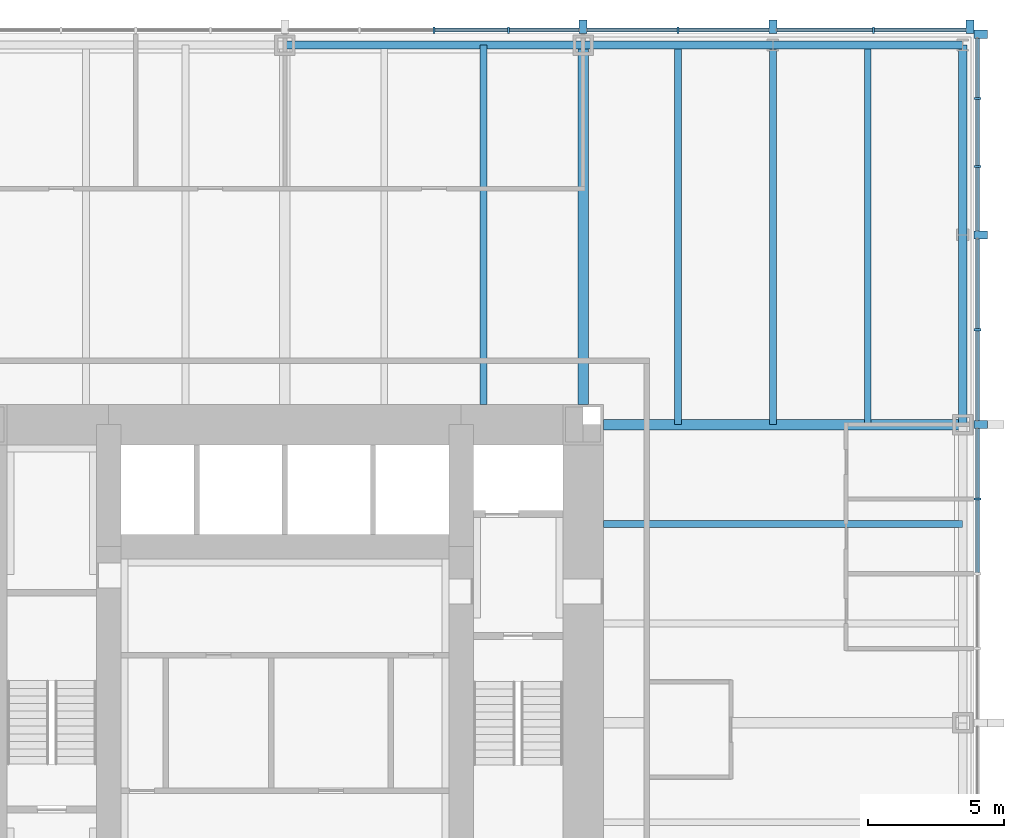
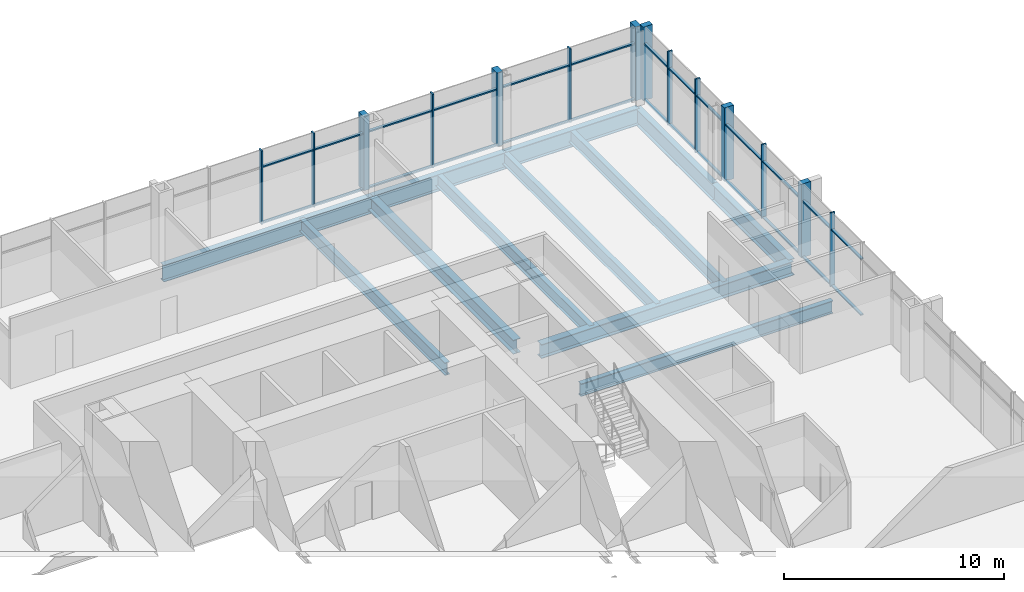
# One storey, part 6 of 12: 40 members, 12 beams, 2 elements without a shape of their own.
"""IFC4 building model written with IfcOpenShell, lengths in metres."""

from ifc_helpers import new_model, si_unit, direction, frame, origin, origin_2d, place, context, subcontext, project, spatial, rectangle, i_section, extrude, material, material_profile, profile_set, type_object, element, aggregate, save


model = new_model("IFC4")

# Units and contexts
model_context = context("Model", 3, precision=1e-05, world=origin(), true_north=direction((0.0, 1.0)))
body_context = subcontext(model_context, "Body", "Model", "MODEL_VIEW")
ifc_project = project(units=[si_unit("LENGTHUNIT", "METRE"), si_unit("AREAUNIT", "SQUARE_METRE"), si_unit("VOLUMEUNIT", "CUBIC_METRE"), si_unit("PLANEANGLEUNIT", "RADIAN"), si_unit("MASSUNIT", "GRAM", prefix="KILO")], contexts=[model_context])

# Site, building, storey
site_placement = place(None, origin())
site = spatial("IfcSite", under=ifc_project, at=site_placement, CompositionType="ELEMENT")
building_placement = place(site_placement, origin())
building = spatial("IfcBuilding", under=site, at=building_placement, Name="Trevanion Tower", CompositionType="ELEMENT")
storey_placement = place(building_placement, frame((0.0, 0.0, 61.10009765625)))
storey = spatial("IfcBuildingStorey", under=building, at=storey_placement, Name="L14", CompositionType="ELEMENT", Elevation=61.10009765625)

# Beams
ifc_material_1 = material(Name="Steel ASTM A992 Grade 50", Category="steel")
ifc_material_profile_1 = material_profile(ifc_material_1, i_section(OverallWidth=0.25390625, OverallDepth=0.700927734375, WebThickness=0.015380859375, FlangeThickness=0.02783203125, at=origin_2d()), Name="W27X129")
ifc_profile_set_1 = profile_set([ifc_material_profile_1], Name="Steel ASTM A992 Grade 50")
beam_type_1 = type_object("IfcBeamType", Name="B3 W27X129", PredefinedType="BEAM", material=ifc_profile_set_1)
for number, where, z_axis, x_axis, name in (
    (1, (11.75, 7.333251953125, -0.54052734375), (1.0, 0.0, 0.0), (0.0, 1.0, 0.0), "B3 L14"),
    (2, (7.333251953125, 11.75, -0.54052734375), (0.0, 1.0, 0.0), (-1.0, 0.0, 0.0), "B3 L14"),
):
    element("IfcBeam", number, at=place(storey_placement, frame(where, z_axis=z_axis, x_axis=x_axis)), inside=storey, type_object=beam_type_1, Name=name, PredefinedType="BEAM", context=body_context, shape_type="SweptSolid", body=[
        extrude(i_section(OverallWidth=0.25390625, OverallDepth=0.700927734375, WebThickness=0.015380859375, FlangeThickness=0.02783203125, at=origin_2d()), origin(), (0.0, 0.0, 1.0), 13.25),
    ])
ifc_material_2 = material(Name="Steel ASTM A992 Grade 50", Category="steel")
ifc_material_profile_2 = material_profile(ifc_material_2, i_section(OverallWidth=0.256591796875, OverallDepth=0.693359375, WebThickness=0.014404296875, FlangeThickness=0.023681640625, at=origin_2d()), Name="W27X114")
ifc_profile_set_2 = profile_set([ifc_material_profile_2], Name="Steel ASTM A992 Grade 50")
beam_type_2 = type_object("IfcBeamType", Name="B4 W27X114", PredefinedType="BEAM", material=ifc_profile_set_2)
for number, where, z_axis, x_axis, name in (
    (3, (14.5, 11.0, -0.536865234375), (0.0, 1.0, 0.0), (-1.0, 0.0, 0.0), "B4 L14"),
    (4, (18.0, 11.0, -0.536865234375), (0.0, 1.0, 0.0), (-1.0, 0.0, 0.0), "B4 L14"),
    (5, (21.5, 11.0, -0.536865234375), (0.0, 1.0, 0.0), (-1.0, 0.0, 0.0), "B4 L14"),
):
    element("IfcBeam", number, at=place(storey_placement, frame(where, z_axis=z_axis, x_axis=x_axis)), inside=storey, type_object=beam_type_2, Name=name, PredefinedType="BEAM", context=body_context, shape_type="SweptSolid", body=[
        extrude(i_section(OverallWidth=0.256591796875, OverallDepth=0.693359375, WebThickness=0.014404296875, FlangeThickness=0.023681640625, at=origin_2d()), origin(), (0.0, 0.0, 1.0), 14.0),
    ])

# Curtain wall, members
ifc_material_3 = material(Name="Aluminium and glass", Category="aluminium")
curtain_wall_type = type_object("IfcCurtainWallType", Name="CW1 curtain wall", PredefinedType="USERDEFINED", material=ifc_material_3)
curtain_wall_1_placement = place(storey_placement, origin())
curtain_wall_1 = element("IfcCurtainWall", 6, at=curtain_wall_1_placement, inside=storey, type_object=curtain_wall_type, Name="CW1 L14 0", ObjectType="UNITISED CURTAIN WALL", PredefinedType="USERDEFINED")
ifc_material_4 = material(Name="Aluminium extrusion, anodised bronze", Category="aluminium")
ifc_material_profile_3 = material_profile(ifc_material_4, rectangle(XDim=0.074951171875, YDim=0.25, at=origin_2d()), Name="CW1 mullion")
ifc_profile_set_3 = profile_set([ifc_material_profile_3], Name="Aluminium extrusion, anodised bronze")
member_type_1 = type_object("IfcMemberType", Name="CW1 mullion", PredefinedType="MULLION", material=ifc_profile_set_3)
member_1_placement = place(storey_placement, frame((25.550048828125, 8.25, -0.190185546875), z_axis=(0.0, 0.0, 1.0), x_axis=(0.0, 1.0, 0.0)))
member_1 = element("IfcMember", 7, at=member_1_placement, type_object=member_type_1, Name="CW1 mullion 12", PredefinedType="MULLION", context=body_context, shape_type="SweptSolid", body=[
    extrude(rectangle(XDim=0.074951171875, YDim=0.25, at=origin_2d()), origin(), (0.0, 0.0, 1.0), 4.10009765625),
])
member_2_placement = place(storey_placement, frame((25.550048828125, 14.5, -0.190185546875), z_axis=(0.0, 0.0, 1.0), x_axis=(0.0, 1.0, 0.0)))
member_2 = element("IfcMember", 8, at=member_2_placement, type_object=member_type_1, Name="CW1 mullion 14", PredefinedType="MULLION", context=body_context, shape_type="SweptSolid", body=[
    extrude(rectangle(XDim=0.074951171875, YDim=0.25, at=origin_2d()), origin(), (0.0, 0.0, 1.0), 4.10009765625),
])
member_3_placement = place(storey_placement, frame((25.550048828125, 20.5166015625, -0.190185546875), z_axis=(0.0, 0.0, 1.0), x_axis=(0.0, 1.0, 0.0)))
member_3 = element("IfcMember", 9, at=member_3_placement, type_object=member_type_1, Name="CW1 mullion 16", PredefinedType="MULLION", context=body_context, shape_type="SweptSolid", body=[
    extrude(rectangle(XDim=0.074951171875, YDim=0.25, at=origin_2d()), origin(), (0.0, 0.0, 1.0), 4.10009765625),
])
member_4_placement = place(storey_placement, frame((25.550048828125, 23.033203125, -0.190185546875), z_axis=(0.0, 0.0, 1.0), x_axis=(0.0, 1.0, 0.0)))
member_4 = element("IfcMember", 10, at=member_4_placement, type_object=member_type_1, Name="CW1 mullion 17", PredefinedType="MULLION", context=body_context, shape_type="SweptSolid", body=[
    extrude(rectangle(XDim=0.074951171875, YDim=0.25, at=origin_2d()), origin(), (0.0, 0.0, 1.0), 4.10009765625),
])

curtain_wall_2_placement = place(storey_placement, origin())
curtain_wall_2 = element("IfcCurtainWall", 11, at=curtain_wall_2_placement, inside=storey, type_object=curtain_wall_type, Name="CW1 L14 1", ObjectType="UNITISED CURTAIN WALL", PredefinedType="USERDEFINED")
member_5_placement = place(storey_placement, frame((21.7099609375, 25.550048828125, -0.190185546875), z_axis=(0.0, 0.0, 1.0), x_axis=(-1.0, 0.0, 0.0)))
member_5 = element("IfcMember", 12, at=member_5_placement, type_object=member_type_1, Name="CW1 mullion 2", PredefinedType="MULLION", context=body_context, shape_type="SweptSolid", body=[
    extrude(rectangle(XDim=0.074951171875, YDim=0.25, at=origin_2d()), origin(), (0.0, 0.0, 1.0), 4.10009765625),
])
member_6_placement = place(storey_placement, frame((14.5, 25.550048828125, -0.190185546875), z_axis=(0.0, 0.0, 1.0), x_axis=(-1.0, 0.0, 0.0)))
member_6 = element("IfcMember", 13, at=member_6_placement, type_object=member_type_1, Name="CW1 mullion 4", PredefinedType="MULLION", context=body_context, shape_type="SweptSolid", body=[
    extrude(rectangle(XDim=0.074951171875, YDim=0.25, at=origin_2d()), origin(), (0.0, 0.0, 1.0), 4.10009765625),
])
member_7_placement = place(storey_placement, frame((8.25, 25.550048828125, -0.190185546875), z_axis=(0.0, 0.0, 1.0), x_axis=(-1.0, 0.0, 0.0)))
member_7 = element("IfcMember", 14, at=member_7_placement, type_object=member_type_1, Name="CW1 mullion 6", PredefinedType="MULLION", context=body_context, shape_type="SweptSolid", body=[
    extrude(rectangle(XDim=0.074951171875, YDim=0.25, at=origin_2d()), origin(), (0.0, 0.0, 1.0), 4.10009765625),
])
member_8_placement = place(storey_placement, frame((5.5, 25.550048828125, -0.190185546875), z_axis=(0.0, 0.0, 1.0), x_axis=(-1.0, 0.0, 0.0)))
member_8 = element("IfcMember", 15, at=member_8_placement, type_object=member_type_1, Name="CW1 mullion 7", PredefinedType="MULLION", context=body_context, shape_type="SweptSolid", body=[
    extrude(rectangle(XDim=0.074951171875, YDim=0.25, at=origin_2d()), origin(), (0.0, 0.0, 1.0), 4.10009765625),
])

# Member
ifc_material_5 = material(Name="Aluminium extrusion, anodised bronze", Category="aluminium")
ifc_material_profile_4 = material_profile(ifc_material_5, rectangle(XDim=0.300048828125, YDim=0.5, at=origin_2d()), Name="CW1 pier mullion")
ifc_profile_set_4 = profile_set([ifc_material_profile_4], Name="Aluminium extrusion, anodised bronze")
member_type_2 = type_object("IfcMemberType", Name="CW1 pier mullion", PredefinedType="MULLION", material=ifc_profile_set_4)
member_9_placement = place(storey_placement, frame((25.675048828125, 11.0, -0.190185546875), z_axis=(0.0, 0.0, 1.0), x_axis=(0.0, 1.0, 0.0)))
member_9 = element("IfcMember", 16, at=member_9_placement, type_object=member_type_2, Name="CW1 pier mullion 13", PredefinedType="MULLION", context=body_context, shape_type="SweptSolid", body=[
    extrude(rectangle(XDim=0.300048828125, YDim=0.5, at=origin_2d()), origin(), (0.0, 0.0, 1.0), 4.10009765625),
])

member_10_placement = place(storey_placement, frame((25.675048828125, 18.0, -0.190185546875), z_axis=(0.0, 0.0, 1.0), x_axis=(0.0, 1.0, 0.0)))
member_10 = element("IfcMember", 17, at=member_10_placement, type_object=member_type_2, Name="CW1 pier mullion 15", PredefinedType="MULLION", context=body_context, shape_type="SweptSolid", body=[
    extrude(rectangle(XDim=0.300048828125, YDim=0.5, at=origin_2d()), origin(), (0.0, 0.0, 1.0), 4.10009765625),
])

member_11_placement = place(storey_placement, frame((25.675048828125, 25.39990234375, -0.190185546875), z_axis=(0.0, 0.0, 1.0), x_axis=(0.0, 1.0, 0.0)))
member_11 = element("IfcMember", 18, at=member_11_placement, type_object=member_type_2, Name="CW1 pier mullion 18", PredefinedType="MULLION", context=body_context, shape_type="SweptSolid", body=[
    extrude(rectangle(XDim=0.300048828125, YDim=0.5, at=origin_2d()), origin(), (0.0, 0.0, 1.0), 4.10009765625),
])

member_12_placement = place(storey_placement, frame((25.27001953125, 25.675048828125, -0.190185546875), z_axis=(0.0, 0.0, 1.0), x_axis=(-1.0, 0.0, 0.0)))
member_12 = element("IfcMember", 19, at=member_12_placement, type_object=member_type_2, Name="CW1 pier mullion 1", PredefinedType="MULLION", context=body_context, shape_type="SweptSolid", body=[
    extrude(rectangle(XDim=0.300048828125, YDim=0.5, at=origin_2d()), origin(), (0.0, 0.0, 1.0), 4.10009765625),
])

member_13_placement = place(storey_placement, frame((18.0, 25.675048828125, -0.190185546875), z_axis=(0.0, 0.0, 1.0), x_axis=(-1.0, 0.0, 0.0)))
member_13 = element("IfcMember", 20, at=member_13_placement, type_object=member_type_2, Name="CW1 pier mullion 3", PredefinedType="MULLION", context=body_context, shape_type="SweptSolid", body=[
    extrude(rectangle(XDim=0.300048828125, YDim=0.5, at=origin_2d()), origin(), (0.0, 0.0, 1.0), 4.10009765625),
])

member_14_placement = place(storey_placement, frame((11.0, 25.675048828125, -0.190185546875), z_axis=(0.0, 0.0, 1.0), x_axis=(-1.0, 0.0, 0.0)))
member_14 = element("IfcMember", 21, at=member_14_placement, type_object=member_type_2, Name="CW1 pier mullion 5", PredefinedType="MULLION", context=body_context, shape_type="SweptSolid", body=[
    extrude(rectangle(XDim=0.300048828125, YDim=0.5, at=origin_2d()), origin(), (0.0, 0.0, 1.0), 4.10009765625),
])

ifc_material_6 = material(Name="Aluminium extrusion, anodised bronze", Category="aluminium")
ifc_material_profile_5 = material_profile(ifc_material_6, rectangle(XDim=0.14990234375, YDim=0.074951171875, at=origin_2d()), Name="CW1 transom")
ifc_profile_set_5 = profile_set([ifc_material_profile_5], Name="Aluminium extrusion, anodised bronze")
member_type_3 = type_object("IfcMemberType", Name="CW1 transom", PredefinedType="USERDEFINED", material=ifc_profile_set_5)
member_15_placement = place(storey_placement, frame((25.550048828125, 5.53759765625, -0.152587890625), z_axis=(0.0, 1.0, 0.0), x_axis=(-1.0, 0.0, 0.0)))
member_15 = element("IfcMember", 22, at=member_15_placement, type_object=member_type_3, Name="CW1 transom 11.1", ObjectType="TRANSOM", PredefinedType="USERDEFINED", context=body_context, shape_type="SweptSolid", body=[
    extrude(rectangle(XDim=0.14990234375, YDim=0.074951171875, at=origin_2d()), origin(), (0.0, 0.0, 1.0), 2.6748046875),
])

member_16_placement = place(storey_placement, frame((25.550048828125, 5.53759765625, 2.9599609375), z_axis=(0.0, 1.0, 0.0), x_axis=(-1.0, 0.0, 0.0)))
member_16 = element("IfcMember", 23, at=member_16_placement, type_object=member_type_3, Name="CW1 transom 11.2", ObjectType="TRANSOM", PredefinedType="USERDEFINED", context=body_context, shape_type="SweptSolid", body=[
    extrude(rectangle(XDim=0.14990234375, YDim=0.074951171875, at=origin_2d()), origin(), (0.0, 0.0, 1.0), 2.6748046875),
])

member_17_placement = place(storey_placement, frame((25.550048828125, 8.28759765625, -0.152587890625), z_axis=(0.0, 1.0, 0.0), x_axis=(-1.0, 0.0, 0.0)))
member_17 = element("IfcMember", 24, at=member_17_placement, type_object=member_type_3, Name="CW1 transom 12.1", ObjectType="TRANSOM", PredefinedType="USERDEFINED", context=body_context, shape_type="SweptSolid", body=[
    extrude(rectangle(XDim=0.14990234375, YDim=0.074951171875, at=origin_2d()), origin(), (0.0, 0.0, 1.0), 2.5625),
])

member_18_placement = place(storey_placement, frame((25.550048828125, 8.28759765625, 2.9599609375), z_axis=(0.0, 1.0, 0.0), x_axis=(-1.0, 0.0, 0.0)))
member_18 = element("IfcMember", 25, at=member_18_placement, type_object=member_type_3, Name="CW1 transom 12.2", ObjectType="TRANSOM", PredefinedType="USERDEFINED", context=body_context, shape_type="SweptSolid", body=[
    extrude(rectangle(XDim=0.14990234375, YDim=0.074951171875, at=origin_2d()), origin(), (0.0, 0.0, 1.0), 2.5625),
])

member_19_placement = place(storey_placement, frame((25.550048828125, 11.14990234375, -0.152587890625), z_axis=(0.0, 1.0, 0.0), x_axis=(-1.0, 0.0, 0.0)))
member_19 = element("IfcMember", 26, at=member_19_placement, type_object=member_type_3, Name="CW1 transom 13.1", ObjectType="TRANSOM", PredefinedType="USERDEFINED", context=body_context, shape_type="SweptSolid", body=[
    extrude(rectangle(XDim=0.14990234375, YDim=0.074951171875, at=origin_2d()), origin(), (0.0, 0.0, 1.0), 3.3125),
])

member_20_placement = place(storey_placement, frame((25.550048828125, 11.14990234375, 2.9599609375), z_axis=(0.0, 1.0, 0.0), x_axis=(-1.0, 0.0, 0.0)))
member_20 = element("IfcMember", 27, at=member_20_placement, type_object=member_type_3, Name="CW1 transom 13.2", ObjectType="TRANSOM", PredefinedType="USERDEFINED", context=body_context, shape_type="SweptSolid", body=[
    extrude(rectangle(XDim=0.14990234375, YDim=0.074951171875, at=origin_2d()), origin(), (0.0, 0.0, 1.0), 3.3125),
])

member_21_placement = place(storey_placement, frame((25.550048828125, 14.53759765625, -0.152587890625), z_axis=(0.0, 1.0, 0.0), x_axis=(-1.0, 0.0, 0.0)))
member_21 = element("IfcMember", 28, at=member_21_placement, type_object=member_type_3, Name="CW1 transom 14.1", ObjectType="TRANSOM", PredefinedType="USERDEFINED", context=body_context, shape_type="SweptSolid", body=[
    extrude(rectangle(XDim=0.14990234375, YDim=0.074951171875, at=origin_2d()), origin(), (0.0, 0.0, 1.0), 3.3125),
])

member_22_placement = place(storey_placement, frame((25.550048828125, 14.53759765625, 2.9599609375), z_axis=(0.0, 1.0, 0.0), x_axis=(-1.0, 0.0, 0.0)))
member_22 = element("IfcMember", 29, at=member_22_placement, type_object=member_type_3, Name="CW1 transom 14.2", ObjectType="TRANSOM", PredefinedType="USERDEFINED", context=body_context, shape_type="SweptSolid", body=[
    extrude(rectangle(XDim=0.14990234375, YDim=0.074951171875, at=origin_2d()), origin(), (0.0, 0.0, 1.0), 3.3125),
])

member_23_placement = place(storey_placement, frame((25.550048828125, 18.14990234375, -0.152587890625), z_axis=(0.0, 1.0, 0.0), x_axis=(-1.0, 0.0, 0.0)))
member_23 = element("IfcMember", 30, at=member_23_placement, type_object=member_type_3, Name="CW1 transom 15.1", ObjectType="TRANSOM", PredefinedType="USERDEFINED", context=body_context, shape_type="SweptSolid", body=[
    extrude(rectangle(XDim=0.14990234375, YDim=0.074951171875, at=origin_2d()), origin(), (0.0, 0.0, 1.0), 2.329345703125),
])

member_24_placement = place(storey_placement, frame((25.550048828125, 18.14990234375, 2.9599609375), z_axis=(0.0, 1.0, 0.0), x_axis=(-1.0, 0.0, 0.0)))
member_24 = element("IfcMember", 31, at=member_24_placement, type_object=member_type_3, Name="CW1 transom 15.2", ObjectType="TRANSOM", PredefinedType="USERDEFINED", context=body_context, shape_type="SweptSolid", body=[
    extrude(rectangle(XDim=0.14990234375, YDim=0.074951171875, at=origin_2d()), origin(), (0.0, 0.0, 1.0), 2.329345703125),
])

member_25_placement = place(storey_placement, frame((25.550048828125, 20.55419921875, -0.152587890625), z_axis=(0.0, 1.0, 0.0), x_axis=(-1.0, 0.0, 0.0)))
member_25 = element("IfcMember", 32, at=member_25_placement, type_object=member_type_3, Name="CW1 transom 16.1", ObjectType="TRANSOM", PredefinedType="USERDEFINED", context=body_context, shape_type="SweptSolid", body=[
    extrude(rectangle(XDim=0.14990234375, YDim=0.074951171875, at=origin_2d()), origin(), (0.0, 0.0, 1.0), 2.441650390625),
])

member_26_placement = place(storey_placement, frame((25.550048828125, 20.55419921875, 2.9599609375), z_axis=(0.0, 1.0, 0.0), x_axis=(-1.0, 0.0, 0.0)))
member_26 = element("IfcMember", 33, at=member_26_placement, type_object=member_type_3, Name="CW1 transom 16.2", ObjectType="TRANSOM", PredefinedType="USERDEFINED", context=body_context, shape_type="SweptSolid", body=[
    extrude(rectangle(XDim=0.14990234375, YDim=0.074951171875, at=origin_2d()), origin(), (0.0, 0.0, 1.0), 2.441650390625),
])

member_27_placement = place(storey_placement, frame((25.550048828125, 23.07080078125, -0.152587890625), z_axis=(0.0, 1.0, 0.0), x_axis=(-1.0, 0.0, 0.0)))
member_27 = element("IfcMember", 34, at=member_27_placement, type_object=member_type_3, Name="CW1 transom 17.1", ObjectType="TRANSOM", PredefinedType="USERDEFINED", context=body_context, shape_type="SweptSolid", body=[
    extrude(rectangle(XDim=0.14990234375, YDim=0.074951171875, at=origin_2d()), origin(), (0.0, 0.0, 1.0), 2.17919921875),
])

member_28_placement = place(storey_placement, frame((25.550048828125, 23.07080078125, 2.9599609375), z_axis=(0.0, 1.0, 0.0), x_axis=(-1.0, 0.0, 0.0)))
member_28 = element("IfcMember", 35, at=member_28_placement, type_object=member_type_3, Name="CW1 transom 17.2", ObjectType="TRANSOM", PredefinedType="USERDEFINED", context=body_context, shape_type="SweptSolid", body=[
    extrude(rectangle(XDim=0.14990234375, YDim=0.074951171875, at=origin_2d()), origin(), (0.0, 0.0, 1.0), 2.17919921875),
])

aggregate(curtain_wall_1, [member_1, member_9, member_2, member_10, member_3, member_4, member_11, member_15, member_16, member_17, member_18, member_19, member_20, member_21, member_22, member_23, member_24, member_25, member_26, member_27, member_28])

member_29_placement = place(storey_placement, frame((25.1201171875, 25.550048828125, -0.152587890625), z_axis=(-1.0, 0.0, 0.0), x_axis=(0.0, -1.0, 0.0)))
member_29 = element("IfcMember", 36, at=member_29_placement, type_object=member_type_3, Name="CW1 transom 1.1", ObjectType="TRANSOM", PredefinedType="USERDEFINED", context=body_context, shape_type="SweptSolid", body=[
    extrude(rectangle(XDim=0.14990234375, YDim=0.074951171875, at=origin_2d()), origin(), (0.0, 0.0, 1.0), 3.37255859375),
])

member_30_placement = place(storey_placement, frame((25.1201171875, 25.550048828125, 2.9599609375), z_axis=(-1.0, 0.0, 0.0), x_axis=(0.0, -1.0, 0.0)))
member_30 = element("IfcMember", 37, at=member_30_placement, type_object=member_type_3, Name="CW1 transom 1.2", ObjectType="TRANSOM", PredefinedType="USERDEFINED", context=body_context, shape_type="SweptSolid", body=[
    extrude(rectangle(XDim=0.14990234375, YDim=0.074951171875, at=origin_2d()), origin(), (0.0, 0.0, 1.0), 3.37255859375),
])

member_31_placement = place(storey_placement, frame((21.672607421875, 25.550048828125, -0.152587890625), z_axis=(-1.0, 0.0, 0.0), x_axis=(0.0, -1.0, 0.0)))
member_31 = element("IfcMember", 38, at=member_31_placement, type_object=member_type_3, Name="CW1 transom 2.1", ObjectType="TRANSOM", PredefinedType="USERDEFINED", context=body_context, shape_type="SweptSolid", body=[
    extrude(rectangle(XDim=0.14990234375, YDim=0.074951171875, at=origin_2d()), origin(), (0.0, 0.0, 1.0), 3.522705078125),
])

member_32_placement = place(storey_placement, frame((21.672607421875, 25.550048828125, 2.9599609375), z_axis=(-1.0, 0.0, 0.0), x_axis=(0.0, -1.0, 0.0)))
member_32 = element("IfcMember", 39, at=member_32_placement, type_object=member_type_3, Name="CW1 transom 2.2", ObjectType="TRANSOM", PredefinedType="USERDEFINED", context=body_context, shape_type="SweptSolid", body=[
    extrude(rectangle(XDim=0.14990234375, YDim=0.074951171875, at=origin_2d()), origin(), (0.0, 0.0, 1.0), 3.522705078125),
])

member_33_placement = place(storey_placement, frame((17.85009765625, 25.550048828125, -0.152587890625), z_axis=(-1.0, 0.0, 0.0), x_axis=(0.0, -1.0, 0.0)))
member_33 = element("IfcMember", 40, at=member_33_placement, type_object=member_type_3, Name="CW1 transom 3.1", ObjectType="TRANSOM", PredefinedType="USERDEFINED", context=body_context, shape_type="SweptSolid", body=[
    extrude(rectangle(XDim=0.14990234375, YDim=0.074951171875, at=origin_2d()), origin(), (0.0, 0.0, 1.0), 3.3125),
])

member_34_placement = place(storey_placement, frame((17.85009765625, 25.550048828125, 2.9599609375), z_axis=(-1.0, 0.0, 0.0), x_axis=(0.0, -1.0, 0.0)))
member_34 = element("IfcMember", 41, at=member_34_placement, type_object=member_type_3, Name="CW1 transom 3.2", ObjectType="TRANSOM", PredefinedType="USERDEFINED", context=body_context, shape_type="SweptSolid", body=[
    extrude(rectangle(XDim=0.14990234375, YDim=0.074951171875, at=origin_2d()), origin(), (0.0, 0.0, 1.0), 3.3125),
])

member_35_placement = place(storey_placement, frame((14.46240234375, 25.550048828125, -0.152587890625), z_axis=(-1.0, 0.0, 0.0), x_axis=(0.0, -1.0, 0.0)))
member_35 = element("IfcMember", 42, at=member_35_placement, type_object=member_type_3, Name="CW1 transom 4.1", ObjectType="TRANSOM", PredefinedType="USERDEFINED", context=body_context, shape_type="SweptSolid", body=[
    extrude(rectangle(XDim=0.14990234375, YDim=0.074951171875, at=origin_2d()), origin(), (0.0, 0.0, 1.0), 3.3125),
])

member_36_placement = place(storey_placement, frame((14.46240234375, 25.550048828125, 2.9599609375), z_axis=(-1.0, 0.0, 0.0), x_axis=(0.0, -1.0, 0.0)))
member_36 = element("IfcMember", 43, at=member_36_placement, type_object=member_type_3, Name="CW1 transom 4.2", ObjectType="TRANSOM", PredefinedType="USERDEFINED", context=body_context, shape_type="SweptSolid", body=[
    extrude(rectangle(XDim=0.14990234375, YDim=0.074951171875, at=origin_2d()), origin(), (0.0, 0.0, 1.0), 3.3125),
])

member_37_placement = place(storey_placement, frame((10.85009765625, 25.550048828125, -0.152587890625), z_axis=(-1.0, 0.0, 0.0), x_axis=(0.0, -1.0, 0.0)))
member_37 = element("IfcMember", 44, at=member_37_placement, type_object=member_type_3, Name="CW1 transom 5.1", ObjectType="TRANSOM", PredefinedType="USERDEFINED", context=body_context, shape_type="SweptSolid", body=[
    extrude(rectangle(XDim=0.14990234375, YDim=0.074951171875, at=origin_2d()), origin(), (0.0, 0.0, 1.0), 2.5625),
])

member_38_placement = place(storey_placement, frame((10.85009765625, 25.550048828125, 2.9599609375), z_axis=(-1.0, 0.0, 0.0), x_axis=(0.0, -1.0, 0.0)))
member_38 = element("IfcMember", 45, at=member_38_placement, type_object=member_type_3, Name="CW1 transom 5.2", ObjectType="TRANSOM", PredefinedType="USERDEFINED", context=body_context, shape_type="SweptSolid", body=[
    extrude(rectangle(XDim=0.14990234375, YDim=0.074951171875, at=origin_2d()), origin(), (0.0, 0.0, 1.0), 2.5625),
])

member_39_placement = place(storey_placement, frame((8.21240234375, 25.550048828125, -0.152587890625), z_axis=(-1.0, 0.0, 0.0), x_axis=(0.0, -1.0, 0.0)))
member_39 = element("IfcMember", 46, at=member_39_placement, type_object=member_type_3, Name="CW1 transom 6.1", ObjectType="TRANSOM", PredefinedType="USERDEFINED", context=body_context, shape_type="SweptSolid", body=[
    extrude(rectangle(XDim=0.14990234375, YDim=0.074951171875, at=origin_2d()), origin(), (0.0, 0.0, 1.0), 2.6748046875),
])

member_40_placement = place(storey_placement, frame((8.21240234375, 25.550048828125, 2.9599609375), z_axis=(-1.0, 0.0, 0.0), x_axis=(0.0, -1.0, 0.0)))
member_40 = element("IfcMember", 47, at=member_40_placement, type_object=member_type_3, Name="CW1 transom 6.2", ObjectType="TRANSOM", PredefinedType="USERDEFINED", context=body_context, shape_type="SweptSolid", body=[
    extrude(rectangle(XDim=0.14990234375, YDim=0.074951171875, at=origin_2d()), origin(), (0.0, 0.0, 1.0), 2.6748046875),
])

aggregate(curtain_wall_2, [member_12, member_5, member_13, member_6, member_14, member_7, member_8, member_29, member_30, member_31, member_32, member_33, member_34, member_35, member_36, member_37, member_38, member_39, member_40])

# Beams
ifc_material_7 = material(Name="Steel ASTM A992 Grade 50", Category="steel")
ifc_material_profile_6 = material_profile(ifc_material_7, i_section(OverallWidth=0.381103515625, OverallDepth=0.77978515625, WebThickness=0.01806640625, FlangeThickness=0.0302734375, at=origin_2d()), Name="W30X191")
ifc_profile_set_6 = profile_set([ifc_material_profile_6], Name="Steel ASTM A992 Grade 50")
beam_type_3 = type_object("IfcBeamType", Name="G2 W30X191", PredefinedType="BEAM", material=ifc_profile_set_6)
for number, where, z_axis, x_axis, name in (
    (48, (11.75, 11.0, -0.580078125), (1.0, 0.0, 0.0), (0.0, 1.0, 0.0), "G2 L14"),
    (49, (11.0, 11.75, -0.580078125), (0.0, 1.0, 0.0), (-1.0, 0.0, 0.0), "G2 L14"),
):
    element("IfcBeam", number, at=place(storey_placement, frame(where, z_axis=z_axis, x_axis=x_axis)), inside=storey, type_object=beam_type_3, Name=name, PredefinedType="BEAM", context=body_context, shape_type="SweptSolid", body=[
        extrude(i_section(OverallWidth=0.381103515625, OverallDepth=0.77978515625, WebThickness=0.01806640625, FlangeThickness=0.0302734375, at=origin_2d()), origin(), (0.0, 0.0, 1.0), 13.25),
    ])
ifc_material_8 = material(Name="Steel ASTM A992 Grade 50", Category="steel")
ifc_material_profile_7 = material_profile(ifc_material_8, i_section(OverallWidth=0.307373046875, OverallDepth=0.927001953125, WebThickness=0.01953125, FlangeThickness=0.031982421875, at=origin_2d()), Name="W36X194")
ifc_profile_set_7 = profile_set([ifc_material_profile_7], Name="Steel ASTM A992 Grade 50")
beam_type_4 = type_object("IfcBeamType", Name="SB2 W36X194", PredefinedType="SPANDREL", material=ifc_profile_set_7)
for number, where, z_axis, x_axis, name in (
    (50, (25.0, 11.0, -0.653564453125), (0.0, 1.0, 0.0), (-1.0, 0.0, 0.0), "SB2 L14"),
    (51, (25.0, 18.0, -0.653564453125), (0.0, 1.0, 0.0), (-1.0, 0.0, 0.0), "SB2 L14"),
    (52, (25.0, 25.0, -0.653564453125), (-1.0, 0.0, 0.0), (0.0, -1.0, 0.0), "SB2 L14"),
    (53, (18.0, 25.0, -0.653564453125), (-1.0, 0.0, 0.0), (0.0, -1.0, 0.0), "SB2 L14"),
):
    element("IfcBeam", number, at=place(storey_placement, frame(where, z_axis=z_axis, x_axis=x_axis)), inside=storey, type_object=beam_type_4, Name=name, PredefinedType="SPANDREL", context=body_context, shape_type="SweptSolid", body=[
        extrude(i_section(OverallWidth=0.307373046875, OverallDepth=0.927001953125, WebThickness=0.01953125, FlangeThickness=0.031982421875, at=origin_2d()), origin(), (0.0, 0.0, 1.0), 7.0),
    ])
beam_placement = place(storey_placement, frame((11.0, 25.0, -0.653564453125), z_axis=(-1.0, 0.0, 0.0), x_axis=(0.0, -1.0, 0.0)))
element("IfcBeam", 54, at=beam_placement, inside=storey, type_object=beam_type_4, Name="SB2 L14", PredefinedType="SPANDREL", context=body_context, shape_type="SweptSolid", body=[
    extrude(i_section(OverallWidth=0.307373046875, OverallDepth=0.927001953125, WebThickness=0.01953125, FlangeThickness=0.031982421875, at=origin_2d()), origin(), (0.0, 0.0, 1.0), 11.0),
])

save(model, "model.ifc")
